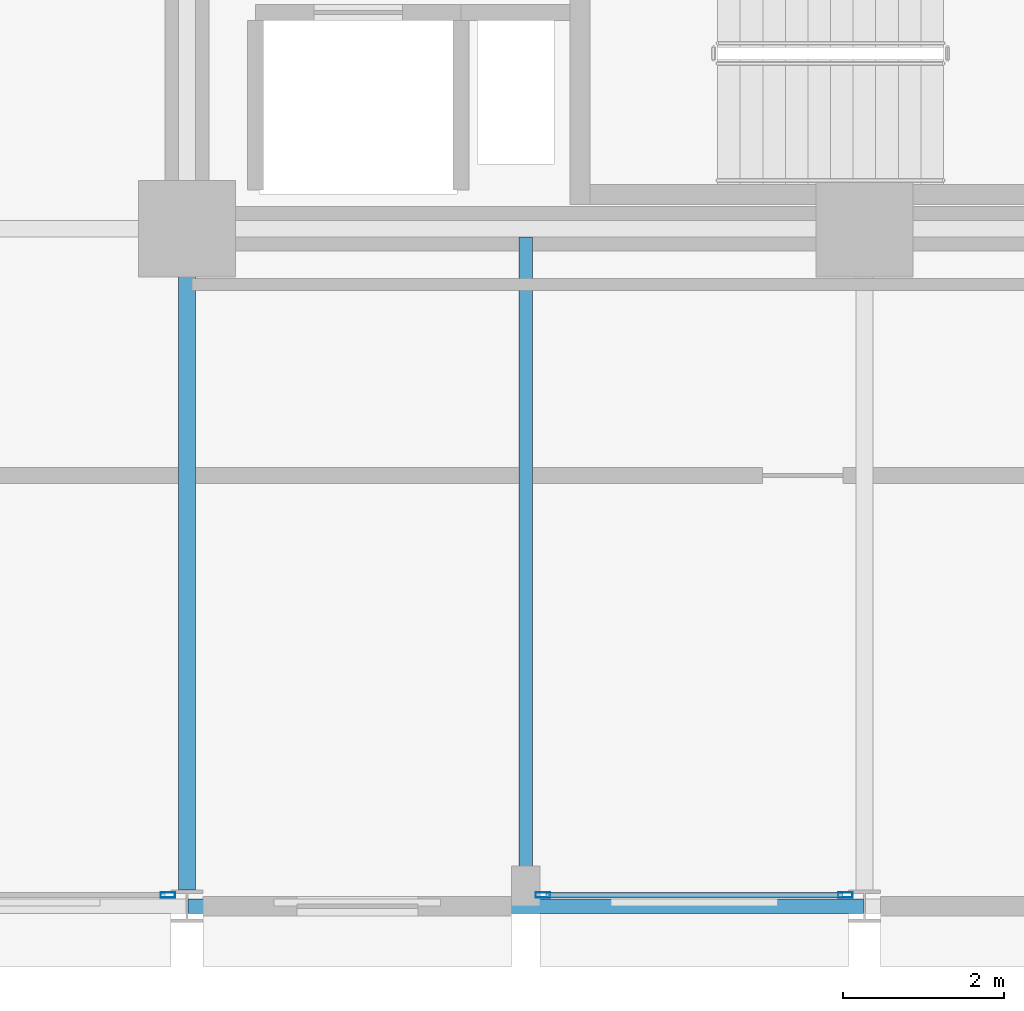
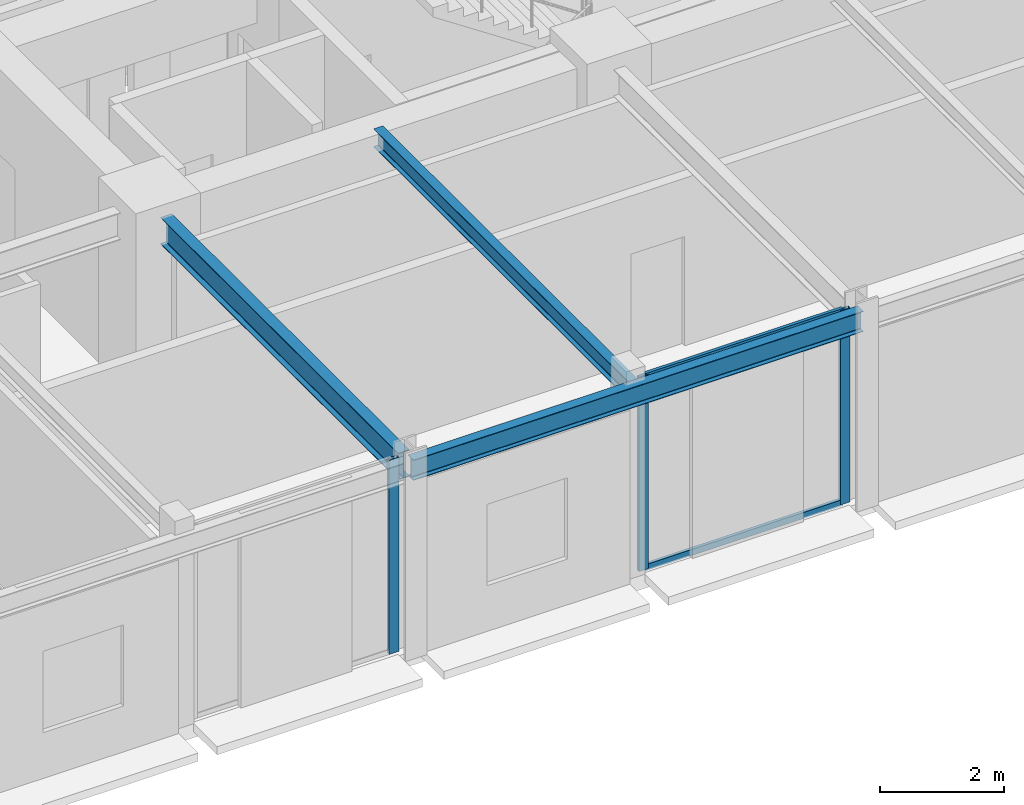
# One storey, part 6 of 30: 5 members, 3 beams, 2 elements without a shape of their own.
"""IFC4 building model written with IfcOpenShell, lengths in metres."""

from ifc_helpers import new_model, si_unit, direction, frame, origin, origin_2d, place, context, subcontext, project, spatial, hollow_rectangle, i_section, extrude, material, layer, layer_set, material_profile, profile_set, type_object, element, aggregate, save


model = new_model("IFC4")

# Units and contexts
model_context = context("Model", 3, precision=1e-05, world=origin(), true_north=direction((0.0, 1.0)))
body_context = subcontext(model_context, "Body", "Model", "MODEL_VIEW")
ifc_project = project(units=[si_unit("LENGTHUNIT", "METRE"), si_unit("AREAUNIT", "SQUARE_METRE"), si_unit("VOLUMEUNIT", "CUBIC_METRE"), si_unit("PLANEANGLEUNIT", "RADIAN"), si_unit("MASSUNIT", "GRAM", prefix="KILO")], contexts=[model_context])

# Site, building, storey
site_placement = place(None, origin())
site = spatial("IfcSite", under=ifc_project, at=site_placement, CompositionType="ELEMENT")
building_placement = place(site_placement, origin())
building = spatial("IfcBuilding", under=site, at=building_placement, Name="Nerrivon Quay Data Exchange", CompositionType="ELEMENT")
storey_placement = place(building_placement, frame((0.0, 0.0, 154.10009765625)))
storey = spatial("IfcBuildingStorey", under=building, at=storey_placement, Name="L36", CompositionType="ELEMENT", Elevation=154.10009765625)

# Beams
ifc_material_1 = material(Name="Steel Grade 350", Category="steel")
ifc_material_profile_1 = material_profile(ifc_material_1, i_section(OverallWidth=0.208984375, OverallDepth=0.528076171875, WebThickness=0.009521484375, FlangeThickness=0.01318359375, FilletRadius=0.013916015625, at=origin_2d()), Name="530UB82.0")
ifc_profile_set_1 = profile_set([ifc_material_profile_1], Name="Steel Grade 350")
beam_type_1 = type_object("IfcBeamType", Name="BM-G4-530UB82", PredefinedType="BEAM", material=ifc_profile_set_1)
beam_1_placement = place(storey_placement, frame((16.800048828125, 0.199951171875, 3.560791015625), z_axis=(0.0, 1.0, 0.0), x_axis=(-1.0, 0.0, 0.0)))
element("IfcBeam", 1, at=beam_1_placement, inside=storey, type_object=beam_type_1, Name="L36 NS Girder X=16.8 (0.0..8.4)", PredefinedType="BEAM", context=body_context, shape_type="SweptSolid", body=[
    extrude(i_section(OverallWidth=0.208984375, OverallDepth=0.528076171875, WebThickness=0.009521484375, FlangeThickness=0.01318359375, FilletRadius=0.013916015625, at=origin_2d()), origin(), (0.0, 0.0, 1.0), 7.66015625),
])
ifc_material_profile_2 = material_profile(ifc_material_1, i_section(OverallWidth=0.1708984375, OverallDepth=0.35595703125, WebThickness=0.00732421875, FlangeThickness=0.011474609375, FilletRadius=0.011474609375, at=origin_2d()), Name="360UB50.7")
ifc_profile_set_2 = profile_set([ifc_material_profile_2], Name="Steel Grade 350")
beam_type_2 = type_object("IfcBeamType", Name="BM-J4-360UB51", PredefinedType="JOIST", material=ifc_profile_set_2)
beam_2_placement = place(storey_placement, frame((21.0, 0.089111328125, 3.64697265625), z_axis=(0.0, 1.0, 0.0), x_axis=(-1.0, 0.0, 0.0)))
element("IfcBeam", 2, at=beam_2_placement, inside=storey, type_object=beam_type_2, Name="L36 Secondary Joist X=21.0 (0.0..8.4)", PredefinedType="JOIST", context=body_context, shape_type="SweptSolid", body=[
    extrude(i_section(OverallWidth=0.1708984375, OverallDepth=0.35595703125, WebThickness=0.00732421875, FlangeThickness=0.011474609375, FilletRadius=0.011474609375, at=origin_2d()), origin(), (0.0, 0.0, 1.0), 8.206298828125),
])
ifc_material_profile_3 = material_profile(ifc_material_1, i_section(OverallWidth=0.177978515625, OverallDepth=0.403076171875, WebThickness=0.007568359375, FlangeThickness=0.010986328125, FilletRadius=0.011474609375, at=origin_2d()), Name="410UB53.7")
ifc_profile_set_3 = profile_set([ifc_material_profile_3], Name="Steel Grade 350")
beam_type_3 = type_object("IfcBeamType", Name="BM-SP2-410UB54", PredefinedType="SPANDREL", material=ifc_profile_set_3)
beam_3_placement = place(storey_placement, frame((16.8125, 0.0, 3.623291015625), z_axis=(1.0, 0.0, 0.0), x_axis=(0.0, 1.0, 0.0)))
element("IfcBeam", 3, at=beam_3_placement, inside=storey, type_object=beam_type_3, Name="L36 EW Girder Y=0.0 (16.8..25.2)", PredefinedType="SPANDREL", context=body_context, shape_type="SweptSolid", body=[
    extrude(i_section(OverallWidth=0.177978515625, OverallDepth=0.403076171875, WebThickness=0.007568359375, FlangeThickness=0.010986328125, FilletRadius=0.011474609375, at=origin_2d()), origin(), (0.0, 0.0, 1.0), 8.375),
])

# Curtain wall, members
ifc_material_2 = material(Name="Anodised aluminium 6063-T6", Category="aluminium")
ifc_layer = layer(ifc_material_2, 0.2099609375)
ifc_layer_set = layer_set([ifc_layer], Name="Anodised aluminium 6063-T6")
curtain_wall_type = type_object("IfcCurtainWallType", Name="CW-SYS-02", PredefinedType="NOTDEFINED", material=ifc_layer_set)
curtain_wall_1_placement = place(storey_placement, origin())
curtain_wall_1 = element("IfcCurtainWall", 4, at=curtain_wall_1_placement, inside=storey, type_object=curtain_wall_type, Name="L36 Unitised Curtain Wall 4", PredefinedType="NOTDEFINED")
ifc_material_profile_4 = material_profile(ifc_material_2, hollow_rectangle(XDim=0.06494140625, YDim=0.179931640625, WallThickness=0.00341796875, at=origin_2d()), Name="ALU-MULL-180x65")
ifc_profile_set_4 = profile_set([ifc_material_profile_4], Name="Anodised aluminium 6063-T6")
member_type_1 = type_object("IfcMemberType", Name="CWM-180x65", PredefinedType="MULLION", material=ifc_profile_set_4)
member_1_placement = place(storey_placement, frame((24.96240234375, 0.139892578125, 0.0), z_axis=(0.0, 0.0, 1.0), x_axis=(0.0, -1.0, 0.0)))
member_1 = element("IfcMember", 5, at=member_1_placement, type_object=member_type_1, Name="CW02 mullion 1", PredefinedType="MULLION", context=body_context, shape_type="SweptSolid", body=[
    extrude(hollow_rectangle(XDim=0.06494140625, YDim=0.179931640625, WallThickness=0.00341796875, at=origin_2d()), origin(), (0.0, 0.0, 1.0), 3.824951171875),
])
member_2_placement = place(storey_placement, frame((21.21240234375, 0.139892578125, 0.0), z_axis=(0.0, 0.0, 1.0), x_axis=(0.0, -1.0, 0.0)))
member_2 = element("IfcMember", 6, at=member_2_placement, type_object=member_type_1, Name="CW02 mullion 2", PredefinedType="MULLION", context=body_context, shape_type="SweptSolid", body=[
    extrude(hollow_rectangle(XDim=0.06494140625, YDim=0.179931640625, WallThickness=0.00341796875, at=origin_2d()), origin(), (0.0, 0.0, 1.0), 3.824951171875),
])

# Curtain wall, member
curtain_wall_2_placement = place(storey_placement, origin())
curtain_wall_2 = element("IfcCurtainWall", 7, at=curtain_wall_2_placement, inside=storey, type_object=curtain_wall_type, Name="L36 Unitised Curtain Wall 6", PredefinedType="NOTDEFINED")
member_3_placement = place(storey_placement, frame((16.5625, 0.139892578125, 0.0), z_axis=(0.0, 0.0, 1.0), x_axis=(0.0, -1.0, 0.0)))
member_3 = element("IfcMember", 8, at=member_3_placement, type_object=member_type_1, Name="CW02 mullion 1", PredefinedType="MULLION", context=body_context, shape_type="SweptSolid", body=[
    extrude(hollow_rectangle(XDim=0.06494140625, YDim=0.179931640625, WallThickness=0.00341796875, at=origin_2d()), origin(), (0.0, 0.0, 1.0), 3.824951171875),
])
aggregate(curtain_wall_2, [member_3])

# Member
ifc_material_profile_5 = material_profile(ifc_material_2, hollow_rectangle(XDim=0.06005859375, YDim=0.1201171875, WallThickness=0.003173828125, at=origin_2d()), Name="ALU-TRAN-120x60")
ifc_profile_set_5 = profile_set([ifc_material_profile_5], Name="Anodised aluminium 6063-T6")
member_type_2 = type_object("IfcMemberType", Name="CWT-120x60", PredefinedType="USERDEFINED", material=ifc_profile_set_5)
member_4_placement = place(storey_placement, frame((24.925048828125, 0.139892578125, 0.032470703125), z_axis=(-1.0, 0.0, 0.0), x_axis=(0.0, -1.0, 0.0)))
member_4 = element("IfcMember", 9, at=member_4_placement, type_object=member_type_2, Name="CW02 transom 1.1", ObjectType="TRANSOM", PredefinedType="USERDEFINED", context=body_context, shape_type="SweptSolid", body=[
    extrude(hollow_rectangle(XDim=0.06005859375, YDim=0.1201171875, WallThickness=0.003173828125, at=origin_2d()), origin(), (0.0, 0.0, 1.0), 3.675048828125),
])

member_5_placement = place(storey_placement, frame((24.925048828125, 0.139892578125, 3.79248046875), z_axis=(-1.0, 0.0, 0.0), x_axis=(0.0, -1.0, 0.0)))
member_5 = element("IfcMember", 10, at=member_5_placement, type_object=member_type_2, Name="CW02 transom 1.2", ObjectType="TRANSOM", PredefinedType="USERDEFINED", context=body_context, shape_type="SweptSolid", body=[
    extrude(hollow_rectangle(XDim=0.06005859375, YDim=0.1201171875, WallThickness=0.003173828125, at=origin_2d()), origin(), (0.0, 0.0, 1.0), 3.675048828125),
])

aggregate(curtain_wall_1, [member_1, member_2, member_4, member_5])

save(model, "model.ifc")
